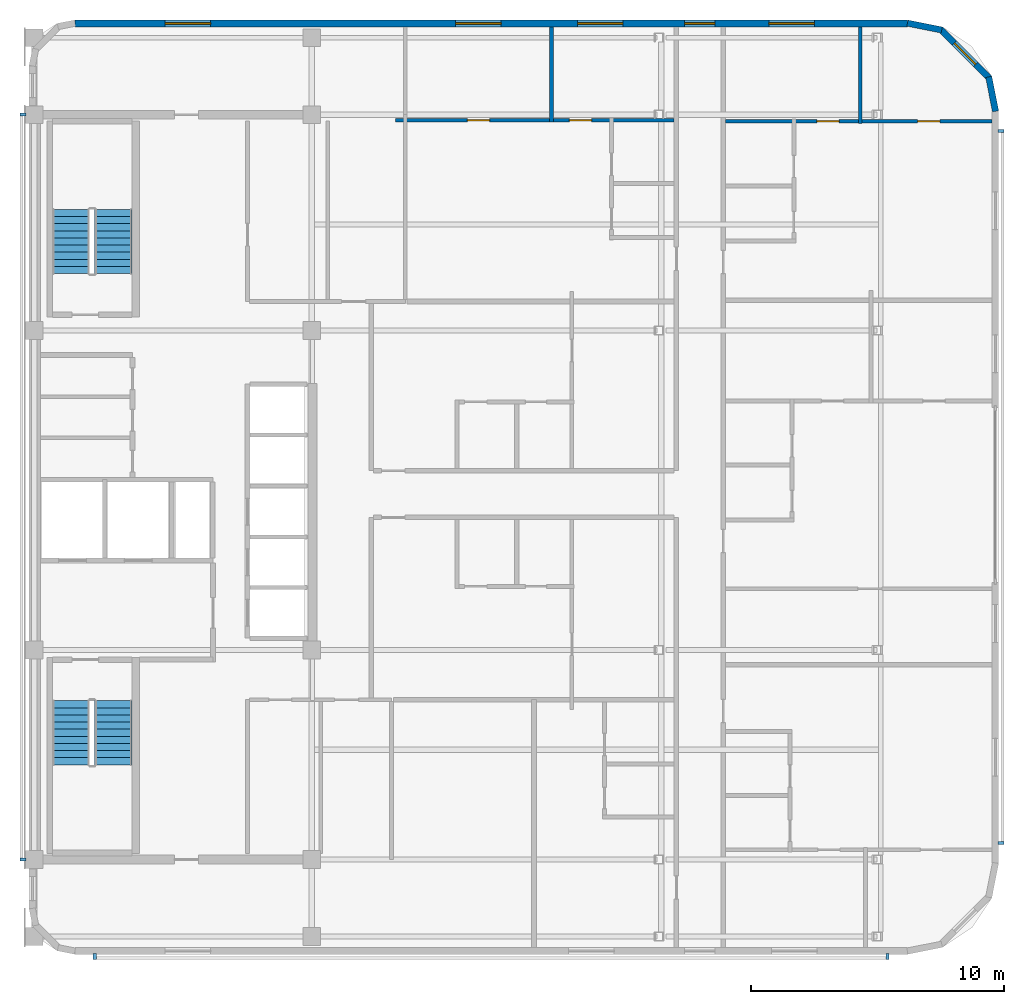
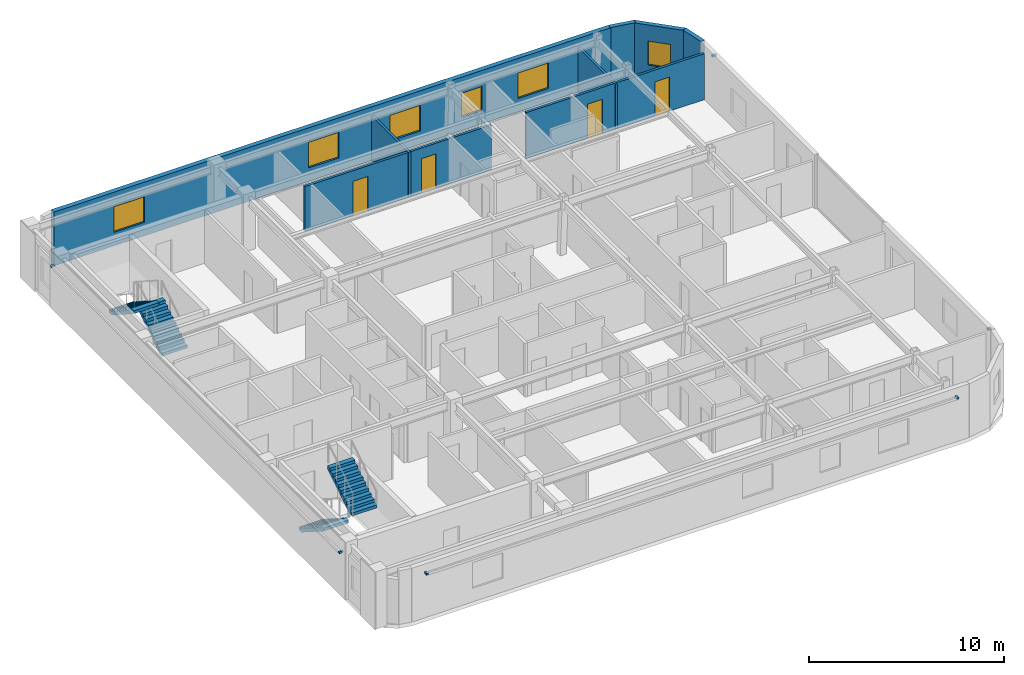
# One storey, part 7 of 10: 8 walls, 6 discrete accessories, 6 windows, 4 doors, 4 stair flights, 10 openings, 2 elements without a shape of their own.
"""IFC4 building model written with IfcOpenShell, lengths in metres."""

from ifc_helpers import new_model, si_unit, direction, frame, frame_2d, origin, origin_2d, place, context, subcontext, project, spatial, polyline, rectangle, outline, extrude, material, layer, layer_set, type_object, element, fill, aggregate, save


model = new_model("IFC4")

# Units and contexts
model_context = context("Model", 3, precision=1e-05, world=origin(), true_north=direction((0.0, 1.0)))
body_context = subcontext(model_context, "Body", "Model", "MODEL_VIEW")
ifc_project = project(units=[si_unit("LENGTHUNIT", "METRE"), si_unit("AREAUNIT", "SQUARE_METRE"), si_unit("VOLUMEUNIT", "CUBIC_METRE"), si_unit("PLANEANGLEUNIT", "RADIAN"), si_unit("MASSUNIT", "GRAM", prefix="KILO")], contexts=[model_context])

# Site, building, storey
site_placement = place(None, origin())
site = spatial("IfcSite", under=ifc_project, at=site_placement, CompositionType="ELEMENT")
building_placement = place(site_placement, origin())
building = spatial("IfcBuilding", under=site, at=building_placement, Name="Ochreholt Gables", CompositionType="ELEMENT")
storey_placement = place(building_placement, frame((0.0, 0.0, 256.800048828125)))
storey = spatial("IfcBuildingStorey", under=building, at=storey_placement, Name="L67", CompositionType="ELEMENT", Elevation=256.800048828125)

# Wall, openings, windows
ifc_material_1 = material(Name="Precast concrete 40 MPa", Category="concrete")
ifc_layer_1 = layer(ifc_material_1, 0.27001953125, Name="Precast concrete 40 MPa")
ifc_layer_set_1 = layer_set([ifc_layer_1], Name="Precast concrete 40 MPa")
wall_type_1 = type_object("IfcWallType", Name="WALL-EXT-270", PredefinedType="SOLIDWALL", material=ifc_layer_set_1)
wall_1_placement = place(storey_placement, frame((58.780029296875, 42.364990234375, 0.0), z_axis=(0.0, 0.0, 1.0), x_axis=(-1.0, 0.0, 0.0)))
wall_1 = element("IfcWall", 1, at=wall_1_placement, inside=storey, type_object=wall_type_1, Name="L67 North Exterior Wall", PredefinedType="SOLIDWALL", context=body_context, shape_type="SweptSolid", body=[
    extrude(rectangle(XDim=32.9599609375, YDim=0.27001953125, at=frame_2d((16.47998046875, 0.0))), origin(), (0.0, 0.0, 1.0), 3.35986328125),
])
opening_1_placement = place(wall_1_placement, frame((27.590087890625, 0.0, 0.85009765625)))
opening_1 = element("IfcOpeningElement", 2, at=opening_1_placement, cuts=wall_1, Name="Opening WN-1", PredefinedType="OPENING", context=body_context, shape_type="SweptSolid", body=[
    extrude(rectangle(XDim=1.800048828125, YDim=1.60009765625, at=frame_2d((0.89990234375, 0.800048828125))), frame((0.0, 0.14501953125, 0.0), z_axis=(0.0, -1.0, 0.0), x_axis=(1.0, 0.0, 0.0)), (0.0, 0.0, 1.0), 0.2900390625),
])
opening_2_placement = place(wall_1_placement, frame((16.084716796875, 0.0, 0.85009765625)))
opening_2 = element("IfcOpeningElement", 3, at=opening_2_placement, cuts=wall_1, Name="Opening WN-1", PredefinedType="OPENING", context=body_context, shape_type="SweptSolid", body=[
    extrude(rectangle(XDim=1.800048828125, YDim=1.60009765625, at=frame_2d((0.89990234375, 0.800048828125))), frame((0.0, 0.14501953125, 0.0), z_axis=(0.0, -1.0, 0.0), x_axis=(1.0, 0.0, 0.0)), (0.0, 0.0, 1.0), 0.2900390625),
])
opening_3_placement = place(wall_1_placement, frame((11.260986328125, 0.0, 0.85009765625)))
opening_3 = element("IfcOpeningElement", 4, at=opening_3_placement, cuts=wall_1, Name="Opening WN-1", PredefinedType="OPENING", context=body_context, shape_type="SweptSolid", body=[
    extrude(rectangle(XDim=1.800048828125, YDim=1.60009765625, at=frame_2d((0.89990234375, 0.800048828125))), frame((0.0, 0.14501953125, 0.0), z_axis=(0.0, -1.0, 0.0), x_axis=(1.0, 0.0, 0.0)), (0.0, 0.0, 1.0), 0.2900390625),
])
opening_4_placement = place(wall_1_placement, frame((7.617919921875, 0.0, 0.85009765625)))
opening_4 = element("IfcOpeningElement", 5, at=opening_4_placement, cuts=wall_1, Name="Opening WN-3", PredefinedType="OPENING", context=body_context, shape_type="SweptSolid", body=[
    extrude(rectangle(XDim=1.199951171875, YDim=1.5, at=frame_2d((0.60009765625, 0.75))), frame((0.0, 0.14501953125, 0.0), z_axis=(0.0, -1.0, 0.0), x_axis=(1.0, 0.0, 0.0)), (0.0, 0.0, 1.0), 0.2900390625),
])
opening_5_placement = place(wall_1_placement, frame((3.6796875, 0.0, 0.85009765625)))
opening_5 = element("IfcOpeningElement", 6, at=opening_5_placement, cuts=wall_1, Name="Opening WN-1", PredefinedType="OPENING", context=body_context, shape_type="SweptSolid", body=[
    extrude(rectangle(XDim=1.800048828125, YDim=1.60009765625, at=frame_2d((0.89990234375, 0.800048828125))), frame((0.0, 0.14501953125, 0.0), z_axis=(0.0, -1.0, 0.0), x_axis=(1.0, 0.0, 0.0)), (0.0, 0.0, 1.0), 0.2900390625),
])
ifc_material_2 = material(Name="Triple-Glazed Thermally Broken Aluminium Window", Category="aluminium")
window_type_1 = type_object("IfcWindowType", Name="WIN-RES-1200", PartitioningType="SINGLE_PANEL", PredefinedType="WINDOW", material=ifc_material_2)
window_1_placement = place(opening_4_placement, origin())
window_1 = element("IfcWindow", 7, at=window_1_placement, inside=storey, type_object=window_type_1, Name="L67 Window W-EXT-N-L67-4", OverallHeight=1.5, OverallWidth=1.199951171875, PartitioningType="SINGLE_PANEL", PredefinedType="WINDOW", context=body_context, shape_type="SweptSolid", body=[
    extrude(rectangle(XDim=1.199951171875, YDim=1.5, at=frame_2d((0.60009765625, 0.75))), frame((0.0, 0.030029296875, 0.0), z_axis=(0.0, -1.0, 0.0), x_axis=(1.0, 0.0, 0.0)), (0.0, 0.0, 1.0), 0.06005859375),
])
fill(opening_4, window_1)
window_type_2 = type_object("IfcWindowType", Name="WIN-RES-1800", PartitioningType="SINGLE_PANEL", PredefinedType="WINDOW", material=ifc_material_2)
window_2_placement = place(opening_1_placement, origin())
window_2 = element("IfcWindow", 8, at=window_2_placement, inside=storey, type_object=window_type_2, Name="L67 Window W-EXT-N-L67-1", OverallHeight=1.60009765625, OverallWidth=1.800048828125, PartitioningType="SINGLE_PANEL", PredefinedType="WINDOW", context=body_context, shape_type="SweptSolid", body=[
    extrude(rectangle(XDim=1.800048828125, YDim=1.60009765625, at=frame_2d((0.89990234375, 0.800048828125))), frame((0.0, 0.030029296875, 0.0), z_axis=(0.0, -1.0, 0.0), x_axis=(1.0, 0.0, 0.0)), (0.0, 0.0, 1.0), 0.06005859375),
])
fill(opening_1, window_2)
window_3_placement = place(opening_2_placement, origin())
window_3 = element("IfcWindow", 9, at=window_3_placement, inside=storey, type_object=window_type_2, Name="L67 Window W-EXT-N-L67-2", OverallHeight=1.60009765625, OverallWidth=1.800048828125, PartitioningType="SINGLE_PANEL", PredefinedType="WINDOW", context=body_context, shape_type="SweptSolid", body=[
    extrude(rectangle(XDim=1.800048828125, YDim=1.60009765625, at=frame_2d((0.89990234375, 0.800048828125))), frame((0.0, 0.030029296875, 0.0), z_axis=(0.0, -1.0, 0.0), x_axis=(1.0, 0.0, 0.0)), (0.0, 0.0, 1.0), 0.06005859375),
])
fill(opening_2, window_3)
window_4_placement = place(opening_3_placement, origin())
window_4 = element("IfcWindow", 10, at=window_4_placement, inside=storey, type_object=window_type_2, Name="L67 Window W-EXT-N-L67-3", OverallHeight=1.60009765625, OverallWidth=1.800048828125, PartitioningType="SINGLE_PANEL", PredefinedType="WINDOW", context=body_context, shape_type="SweptSolid", body=[
    extrude(rectangle(XDim=1.800048828125, YDim=1.60009765625, at=frame_2d((0.89990234375, 0.800048828125))), frame((0.0, 0.030029296875, 0.0), z_axis=(0.0, -1.0, 0.0), x_axis=(1.0, 0.0, 0.0)), (0.0, 0.0, 1.0), 0.06005859375),
])
fill(opening_3, window_4)
window_5_placement = place(opening_5_placement, origin())
window_5 = element("IfcWindow", 11, at=window_5_placement, inside=storey, type_object=window_type_2, Name="L67 Window W-EXT-N-L67-5", OverallHeight=1.60009765625, OverallWidth=1.800048828125, PartitioningType="SINGLE_PANEL", PredefinedType="WINDOW", context=body_context, shape_type="SweptSolid", body=[
    extrude(rectangle(XDim=1.800048828125, YDim=1.60009765625, at=frame_2d((0.89990234375, 0.800048828125))), frame((0.0, 0.030029296875, 0.0), z_axis=(0.0, -1.0, 0.0), x_axis=(1.0, 0.0, 0.0)), (0.0, 0.0, 1.0), 0.06005859375),
])
fill(opening_5, window_5)

# Wall
ifc_layer_2 = layer(ifc_material_1, 0.25, Name="Precast concrete 40 MPa")
ifc_layer_set_2 = layer_set([ifc_layer_2], Name="Precast concrete 40 MPa")
wall_type_2 = type_object("IfcWallType", Name="WALL-EXT-CNR", PredefinedType="SOLIDWALL", material=ifc_layer_set_2)
wall_2_placement = place(storey_placement, frame((62.27587890625, 38.883544921875, 0.0), z_axis=(0.0, 0.0, 1.0), x_axis=(-0.195135625965, 0.9807762678, 0.0)))
element("IfcWall", 12, at=wall_2_placement, inside=storey, type_object=wall_type_2, Name="L67 Rounded Corner Wall NE-1", PredefinedType="SOLIDWALL", context=body_context, shape_type="SweptSolid", body=[
    extrude(rectangle(XDim=1.388671875, YDim=0.25, at=frame_2d((0.6943359375, 0.0))), origin(), (0.0, 0.0, 1.0), 3.35986328125),
])

# Wall, opening, window
wall_3_placement = place(storey_placement, frame((62.031982421875, 40.195068359375, 0.0), z_axis=(0.0, 0.0, 1.0), x_axis=(-0.707106781187, 0.707106781187, 0.0)))
wall_3 = element("IfcWall", 13, at=wall_3_placement, inside=storey, type_object=wall_type_2, Name="L67 Rounded Corner Wall NE-2", PredefinedType="SOLIDWALL", context=body_context, shape_type="SweptSolid", body=[
    extrude(rectangle(XDim=2.7392578125, YDim=0.25, at=frame_2d((1.36962890625, 0.0))), origin(), (0.0, 0.0, 1.0), 3.35986328125),
])
opening_6_placement = place(wall_3_placement, frame((0.769775390625, 0.0, 0.85009765625)))
opening_6 = element("IfcOpeningElement", 14, at=opening_6_placement, cuts=wall_3, Name="Opening WN-3", PredefinedType="OPENING", context=body_context, shape_type="SweptSolid", body=[
    extrude(rectangle(XDim=1.199951171875, YDim=1.5, at=frame_2d((0.60009765625, 0.75))), frame((0.0, 0.135009765625, 0.0), z_axis=(0.0, -1.0, 0.0), x_axis=(1.0, 0.0, 0.0)), (0.0, 0.0, 1.0), 0.27001953125),
])
window_6_placement = place(opening_6_placement, origin())
window_6 = element("IfcWindow", 15, at=window_6_placement, inside=storey, type_object=window_type_1, Name="L67 Corner Bedroom Window NE", OverallHeight=1.5, OverallWidth=1.199951171875, PartitioningType="SINGLE_PANEL", PredefinedType="WINDOW", context=body_context, shape_type="SweptSolid", body=[
    extrude(rectangle(XDim=1.199951171875, YDim=1.5, at=frame_2d((0.60009765625, 0.75))), frame((0.0, 0.030029296875, 0.0), z_axis=(0.0, -1.0, 0.0), x_axis=(1.0, 0.0, 0.0)), (0.0, 0.0, 1.0), 0.06005859375),
])
fill(opening_6, window_6)

# Wall
wall_4_placement = place(storey_placement, frame((60.1455078125, 42.10498046875, 0.0), z_axis=(0.0, 0.0, 1.0), x_axis=(-0.980809899341, 0.19496651342, 0.0)))
element("IfcWall", 16, at=wall_4_placement, inside=storey, type_object=wall_type_2, Name="L67 Rounded Corner Wall NE-3", PredefinedType="SOLIDWALL", context=body_context, shape_type="SweptSolid", body=[
    extrude(rectangle(XDim=1.388671875, YDim=0.25, at=frame_2d((0.6943359375, 0.0))), origin(), (0.0, 0.0, 1.0), 3.35986328125),
])

# Wall, openings, doors
ifc_material_3 = material(Name="Lightweight Stud Partition", Category="gypsum")
ifc_layer_3 = layer(ifc_material_3, 0.14501953125, Name="Lightweight Stud Partition")
ifc_layer_set_3 = layer_set([ifc_layer_3], Name="Lightweight Stud Partition")
wall_type_3 = type_object("IfcWallType", Name="WALL-INT-PT145", PredefinedType="PARTITIONING", material=ifc_layer_set_3)
wall_5_placement = place(storey_placement, frame((51.576904296875, 38.490478515625, 0.0), z_axis=(0.0, 0.0, 1.0), x_axis=(1.0, 0.0, 0.0)))
wall_5 = element("IfcWall", 17, at=wall_5_placement, inside=storey, type_object=wall_type_3, Name="L67 Interior Wall WU-L67E3-MN", PredefinedType="PARTITIONING", context=body_context, shape_type="SweptSolid", body=[
    extrude(rectangle(XDim=10.552978515625, YDim=0.14501953125, at=frame_2d((5.2763671875, 0.0))), origin(), (0.0, 0.0, 1.0), 2.87890625),
])
opening_7_placement = place(wall_5_placement, frame((3.627197265625, 0.0, 0.0)))
opening_7 = element("IfcOpeningElement", 18, at=opening_7_placement, cuts=wall_5, Name="Opening D-BD2", PredefinedType="OPENING", context=body_context, shape_type="SweptSolid", body=[
    extrude(rectangle(XDim=0.8798828125, YDim=2.139892578125, at=frame_2d((0.43994140625, 1.06982421875))), frame((0.0, 0.08251953125, 0.0), z_axis=(0.0, -1.0, 0.0), x_axis=(1.0, 0.0, 0.0)), (0.0, 0.0, 1.0), 0.1650390625),
])
opening_8_placement = place(wall_5_placement, frame((7.60986328125, 0.0, 0.0)))
opening_8 = element("IfcOpeningElement", 19, at=opening_8_placement, cuts=wall_5, Name="Opening D-BD2", PredefinedType="OPENING", context=body_context, shape_type="SweptSolid", body=[
    extrude(rectangle(XDim=0.8798828125, YDim=2.139892578125, at=frame_2d((0.43994140625, 1.06982421875))), frame((0.0, 0.08251953125, 0.0), z_axis=(0.0, -1.0, 0.0), x_axis=(1.0, 0.0, 0.0)), (0.0, 0.0, 1.0), 0.1650390625),
])
ifc_material_4 = material(Name="Engineered Oak Timber", Category="wood")
door_type = type_object("IfcDoorType", Name="DR-INT-BED880", OperationType="NOTDEFINED", PredefinedType="DOOR", material=ifc_material_4)
door_1_placement = place(opening_7_placement, origin())
door_1 = element("IfcDoor", 20, at=door_1_placement, inside=storey, type_object=door_type, Name="L67 Door D-U-L67E3-BD1", OperationType="SINGLE_SWING_RIGHT", OverallHeight=2.139892578125, OverallWidth=0.8798828125, PredefinedType="DOOR", context=body_context, shape_type="SweptSolid", body=[
    extrude(rectangle(XDim=0.8798828125, YDim=2.139892578125, at=frame_2d((0.43994140625, 1.06982421875))), frame((0.0, 0.02490234375, 0.0), z_axis=(0.0, -1.0, 0.0), x_axis=(1.0, 0.0, 0.0)), (0.0, 0.0, 1.0), 0.050048828125),
])
fill(opening_7, door_1)
door_2_placement = place(opening_8_placement, origin())
door_2 = element("IfcDoor", 21, at=door_2_placement, inside=storey, type_object=door_type, Name="L67 Door D-U-L67E3-BD2", OperationType="SINGLE_SWING_LEFT", OverallHeight=2.139892578125, OverallWidth=0.8798828125, PredefinedType="DOOR", context=body_context, shape_type="SweptSolid", body=[
    extrude(rectangle(XDim=0.8798828125, YDim=2.139892578125, at=frame_2d((0.43994140625, 1.06982421875))), frame((0.0, 0.02490234375, 0.0), z_axis=(0.0, -1.0, 0.0), x_axis=(1.0, 0.0, 0.0)), (0.0, 0.0, 1.0), 0.050048828125),
])
fill(opening_8, door_2)

# Wall
wall_6_placement = place(storey_placement, frame((56.91357421875, 38.410400390625, 0.0), z_axis=(0.0, 0.0, 1.0), x_axis=(0.0, 1.0, 0.0)))
element("IfcWall", 22, at=wall_6_placement, inside=storey, type_object=wall_type_3, Name="L67 Interior Wall WU-L67E3-BSD", PredefinedType="PARTITIONING", context=body_context, shape_type="SweptSolid", body=[
    extrude(rectangle(XDim=3.819580078125, YDim=0.14501953125, at=frame_2d((1.90966796875, 0.0))), origin(), (0.0, 0.0, 1.0), 2.802978515625),
])

# Wall, openings, doors
wall_7_placement = place(storey_placement, frame((38.510009765625, 38.531494140625, 0.0), z_axis=(0.0, 0.0, 1.0), x_axis=(1.0, 0.0, 0.0)))
wall_7 = element("IfcWall", 23, at=wall_7_placement, inside=storey, type_object=wall_type_3, Name="L67 Interior Wall WU-L67NM2-MN", PredefinedType="PARTITIONING", context=body_context, shape_type="SweptSolid", body=[
    extrude(rectangle(XDim=11.037109375, YDim=0.14501953125, at=frame_2d((5.5185546875, 0.0))), origin(), (0.0, 0.0, 1.0), 2.802978515625),
])
opening_9_placement = place(wall_7_placement, frame((2.845458984375, 0.0, 0.0)))
opening_9 = element("IfcOpeningElement", 24, at=opening_9_placement, cuts=wall_7, Name="Opening D-BD2", PredefinedType="OPENING", context=body_context, shape_type="SweptSolid", body=[
    extrude(rectangle(XDim=0.8798828125, YDim=2.139892578125, at=frame_2d((0.43994140625, 1.06982421875))), frame((0.0, 0.08251953125, 0.0), z_axis=(0.0, -1.0, 0.0), x_axis=(1.0, 0.0, 0.0)), (0.0, 0.0, 1.0), 0.1650390625),
])
opening_10_placement = place(wall_7_placement, frame((6.8837890625, 0.0, 0.0)))
opening_10 = element("IfcOpeningElement", 25, at=opening_10_placement, cuts=wall_7, Name="Opening D-BD2", PredefinedType="OPENING", context=body_context, shape_type="SweptSolid", body=[
    extrude(rectangle(XDim=0.8798828125, YDim=2.139892578125, at=frame_2d((0.43994140625, 1.06982421875))), frame((0.0, 0.08251953125, 0.0), z_axis=(0.0, -1.0, 0.0), x_axis=(1.0, 0.0, 0.0)), (0.0, 0.0, 1.0), 0.1650390625),
])
door_3_placement = place(opening_9_placement, origin())
door_3 = element("IfcDoor", 26, at=door_3_placement, inside=storey, type_object=door_type, Name="L67 Door D-U-L67NM2-BD1", OperationType="SINGLE_SWING_RIGHT", OverallHeight=2.139892578125, OverallWidth=0.8798828125, PredefinedType="DOOR", context=body_context, shape_type="SweptSolid", body=[
    extrude(rectangle(XDim=0.8798828125, YDim=2.139892578125, at=frame_2d((0.43994140625, 1.06982421875))), frame((0.0, 0.02490234375, 0.0), z_axis=(0.0, -1.0, 0.0), x_axis=(1.0, 0.0, 0.0)), (0.0, 0.0, 1.0), 0.050048828125),
])
fill(opening_9, door_3)
door_4_placement = place(opening_10_placement, origin())
door_4 = element("IfcDoor", 27, at=door_4_placement, inside=storey, type_object=door_type, Name="L67 Door D-U-L67NM2-BD2", OperationType="SINGLE_SWING_LEFT", OverallHeight=2.139892578125, OverallWidth=0.8798828125, PredefinedType="DOOR", context=body_context, shape_type="SweptSolid", body=[
    extrude(rectangle(XDim=0.8798828125, YDim=2.139892578125, at=frame_2d((0.43994140625, 1.06982421875))), frame((0.0, 0.02490234375, 0.0), z_axis=(0.0, -1.0, 0.0), x_axis=(1.0, 0.0, 0.0)), (0.0, 0.0, 1.0), 0.050048828125),
])
fill(opening_10, door_4)

# Wall
wall_8_placement = place(storey_placement, frame((44.69091796875, 38.451416015625, 0.0), z_axis=(0.0, 0.0, 1.0), x_axis=(0.0, 1.0, 0.0)))
element("IfcWall", 28, at=wall_8_placement, inside=storey, type_object=wall_type_3, Name="L67 Interior Wall WU-L67NM2-BSD", PredefinedType="PARTITIONING", context=body_context, shape_type="SweptSolid", body=[
    extrude(rectangle(XDim=3.778564453125, YDim=0.14501953125, at=frame_2d((1.88916015625, 0.0))), origin(), (0.0, 0.0, 1.0), 2.802978515625),
])

# Stair, stair flights
ifc_material_5 = material(Name="Concrete 40 MPa", Category="concrete")
stair_type_1 = type_object("IfcStairType", Name="STAIR-CORE-ST-1", PredefinedType="HALF_TURN_STAIR", material=ifc_material_5)
stair_1_placement = place(storey_placement, origin())
stair_1 = element("IfcStair", 29, at=stair_1_placement, inside=storey, type_object=stair_type_1, Name="L67 Core Exit Stair 1", PredefinedType="HALF_TURN_STAIR")
stair_flight_type = type_object("IfcStairFlightType", Name="FLIGHT-ST-1480-1800", PredefinedType="STRAIGHT", material=ifc_material_5)
stair_flight_1_placement = place(storey_placement, frame((25.659912109375, 15.5400390625, 0.0), z_axis=(0.0, 0.0, 1.0), x_axis=(0.0, -1.0, 0.0)))
stair_flight_1 = element("IfcStairFlight", 30, at=stair_flight_1_placement, type_object=stair_flight_type, Name="ST-1 flight 1", NumberOfRisers=10, NumberOfTreads=9, PredefinedType="STRAIGHT", RiserHeight=0.18, TreadLength=0.282, context=body_context, shape_type="SweptSolid", body=[
    extrude(outline(polyline([(0.0, 0.0), (0.0, 0.179931640625), (0.281982421875, 0.179931640625), (0.281982421875, 0.360107421875), (0.56396484375, 0.360107421875), (0.56396484375, 0.5400390625), (0.845947265625, 0.5400390625), (0.845947265625, 0.719970703125), (1.1279296875, 0.719970703125), (1.1279296875, 0.89990234375), (1.409912109375, 0.89990234375), (1.409912109375, 1.080078125), (1.69189453125, 1.080078125), (1.69189453125, 1.260009765625), (1.97412109375, 1.260009765625), (1.97412109375, 1.43994140625), (2.256103515625, 1.43994140625), (2.256103515625, 1.6201171875), (2.5380859375, 1.6201171875), (2.5380859375, 1.800048828125), (2.5380859375, 1.442138671875), (0.278564453125, 0.0), (0.0, 0.0)])), frame((0.0, 0.739990234375, 0.0), z_axis=(0.0, -1.0, 0.0), x_axis=(1.0, 0.0, 0.0)), (0.0, 0.0, 1.0), 1.47998046875),
])
stair_flight_2_placement = place(storey_placement, frame((27.340087890625, 13.001953125, 1.800048828125), z_axis=(0.0, 0.0, 1.0), x_axis=(0.0, 1.0, 0.0)))
stair_flight_2 = element("IfcStairFlight", 31, at=stair_flight_2_placement, type_object=stair_flight_type, Name="ST-1 flight 2", NumberOfRisers=10, NumberOfTreads=9, PredefinedType="STRAIGHT", RiserHeight=0.18, TreadLength=0.282, context=body_context, shape_type="SweptSolid", body=[
    extrude(outline(polyline([(0.0, 0.0), (0.0, 0.179931640625), (0.281982421875, 0.179931640625), (0.281982421875, 0.360107421875), (0.56396484375, 0.360107421875), (0.56396484375, 0.5400390625), (0.845947265625, 0.5400390625), (0.845947265625, 0.719970703125), (1.1279296875, 0.719970703125), (1.1279296875, 0.89990234375), (1.409912109375, 0.89990234375), (1.409912109375, 1.080078125), (1.69189453125, 1.080078125), (1.69189453125, 1.260009765625), (1.97412109375, 1.260009765625), (1.97412109375, 1.43994140625), (2.256103515625, 1.43994140625), (2.256103515625, 1.6201171875), (2.5380859375, 1.6201171875), (2.5380859375, 1.800048828125), (2.5380859375, 1.442138671875), (0.278564453125, 0.0), (0.0, 0.0)])), frame((0.0, 0.739990234375, 0.0), z_axis=(0.0, -1.0, 0.0), x_axis=(1.0, 0.0, 0.0)), (0.0, 0.0, 1.0), 1.47998046875),
])
aggregate(stair_1, [stair_flight_1, stair_flight_2])

stair_type_2 = type_object("IfcStairType", Name="STAIR-CORE-ST-2", PredefinedType="HALF_TURN_STAIR", material=ifc_material_5)
stair_2_placement = place(storey_placement, origin())
stair_2 = element("IfcStair", 32, at=stair_2_placement, inside=storey, type_object=stair_type_2, Name="L67 Core Exit Stair 2", PredefinedType="HALF_TURN_STAIR")
stair_flight_3_placement = place(storey_placement, frame((27.340087890625, 32.4599609375, 0.0), z_axis=(0.0, 0.0, 1.0), x_axis=(0.0, 1.0, 0.0)))
stair_flight_3 = element("IfcStairFlight", 33, at=stair_flight_3_placement, type_object=stair_flight_type, Name="ST-2 flight 1", NumberOfRisers=10, NumberOfTreads=9, PredefinedType="STRAIGHT", RiserHeight=0.18, TreadLength=0.282, context=body_context, shape_type="SweptSolid", body=[
    extrude(outline(polyline([(0.0, 0.0), (0.0, 0.179931640625), (0.281982421875, 0.179931640625), (0.281982421875, 0.360107421875), (0.56396484375, 0.360107421875), (0.56396484375, 0.5400390625), (0.845947265625, 0.5400390625), (0.845947265625, 0.719970703125), (1.1279296875, 0.719970703125), (1.1279296875, 0.89990234375), (1.409912109375, 0.89990234375), (1.409912109375, 1.080078125), (1.69189453125, 1.080078125), (1.69189453125, 1.260009765625), (1.97412109375, 1.260009765625), (1.97412109375, 1.43994140625), (2.256103515625, 1.43994140625), (2.256103515625, 1.6201171875), (2.5380859375, 1.6201171875), (2.5380859375, 1.800048828125), (2.5380859375, 1.442138671875), (0.278564453125, 0.0), (0.0, 0.0)])), frame((0.0, 0.739990234375, 0.0), z_axis=(0.0, -1.0, 0.0), x_axis=(1.0, 0.0, 0.0)), (0.0, 0.0, 1.0), 1.47998046875),
])
stair_flight_4_placement = place(storey_placement, frame((25.659912109375, 34.998046875, 1.800048828125), z_axis=(0.0, 0.0, 1.0), x_axis=(0.0, -1.0, 0.0)))
stair_flight_4 = element("IfcStairFlight", 34, at=stair_flight_4_placement, type_object=stair_flight_type, Name="ST-2 flight 2", NumberOfRisers=10, NumberOfTreads=9, PredefinedType="STRAIGHT", RiserHeight=0.18, TreadLength=0.282, context=body_context, shape_type="SweptSolid", body=[
    extrude(outline(polyline([(0.0, 0.0), (0.0, 0.179931640625), (0.281982421875, 0.179931640625), (0.281982421875, 0.360107421875), (0.56396484375, 0.360107421875), (0.56396484375, 0.5400390625), (0.845947265625, 0.5400390625), (0.845947265625, 0.719970703125), (1.1279296875, 0.719970703125), (1.1279296875, 0.89990234375), (1.409912109375, 0.89990234375), (1.409912109375, 1.080078125), (1.69189453125, 1.080078125), (1.69189453125, 1.260009765625), (1.97412109375, 1.260009765625), (1.97412109375, 1.43994140625), (2.256103515625, 1.43994140625), (2.256103515625, 1.6201171875), (2.5380859375, 1.6201171875), (2.5380859375, 1.800048828125), (2.5380859375, 1.442138671875), (0.278564453125, 0.0), (0.0, 0.0)])), frame((0.0, 0.739990234375, 0.0), z_axis=(0.0, -1.0, 0.0), x_axis=(1.0, 0.0, 0.0)), (0.0, 0.0, 1.0), 1.47998046875),
])
aggregate(stair_2, [stair_flight_3, stair_flight_4])

# Discrete accessories
ifc_material_6 = material(Name="Extruded Aluminium Standoff Bracket", Category="aluminium")
discrete_accessory_type = type_object("IfcDiscreteAccessoryType", Name="ACC-BRACKET-AL", PredefinedType="BRACKET", material=ifc_material_6)
for number, where, z_axis, x_axis, name in (
    (35, (26.60009765625, 5.409912109375, 2.77978515625), (0.0, 0.0, 1.0), (1.0, 0.0, 0.0), "L67 Baguette Standoff Bracket S1-1"),
    (36, (58.0, 5.409912109375, 2.77978515625), (0.0, 0.0, 1.0), (1.0, 0.0, 0.0), "L67 Baguette Standoff Bracket S1-2"),
    (37, (62.489990234375, 9.89990234375, 2.77978515625), (0.0, 0.0, 1.0), (0.0, 1.0, 0.0), "L67 Baguette Standoff Bracket E1-1"),
    (38, (62.489990234375, 38.10009765625, 2.77978515625), (0.0, 0.0, 1.0), (0.0, 1.0, 0.0), "L67 Baguette Standoff Bracket E1-2"),
    (39, (23.760009765625, 38.75, 2.77978515625), (0.0, 0.0, 1.0), (0.0, -1.0, 0.0), "L67 Baguette Standoff Bracket W1-1"),
    (40, (23.760009765625, 9.25, 2.77978515625), (0.0, 0.0, 1.0), (0.0, -1.0, 0.0), "L67 Baguette Standoff Bracket W1-2"),
):
    element("IfcDiscreteAccessory", number, at=place(storey_placement, frame(where, z_axis=z_axis, x_axis=x_axis)), inside=storey, type_object=discrete_accessory_type, Name=name, PredefinedType="BRACKET", context=body_context, shape_type="SweptSolid", body=[
        extrude(rectangle(XDim=0.1201171875, YDim=0.239990234375, at=origin_2d()), origin(), (0.0, 0.0, 1.0), 0.1201171875),
    ])

save(model, "model.ifc")
